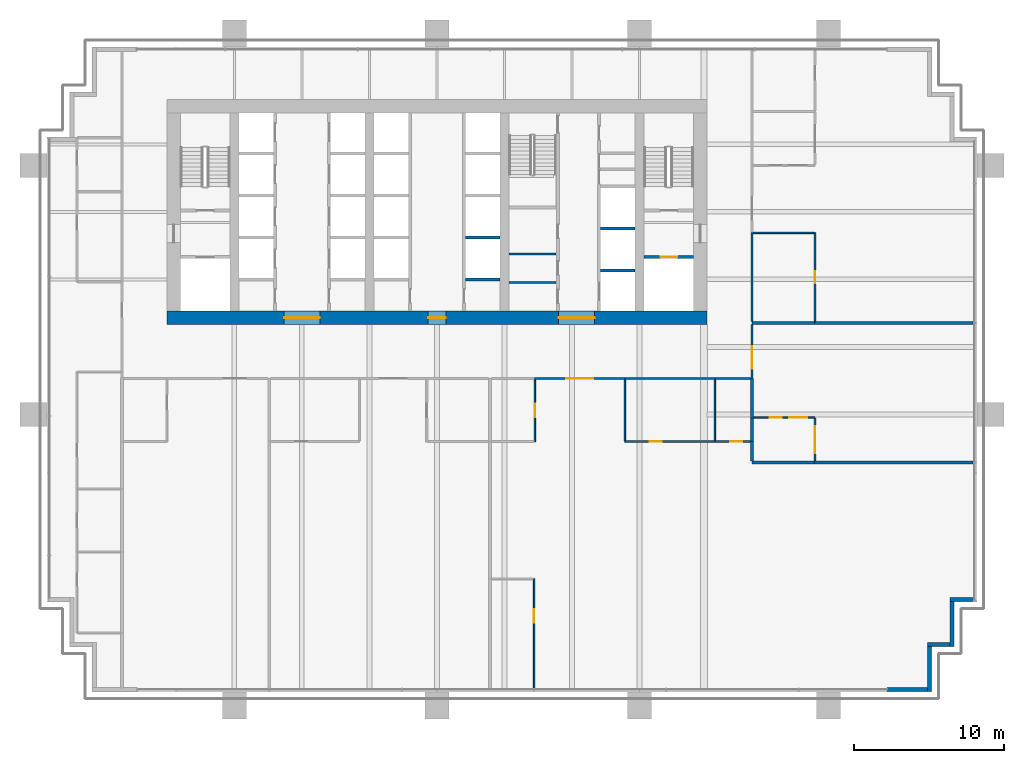
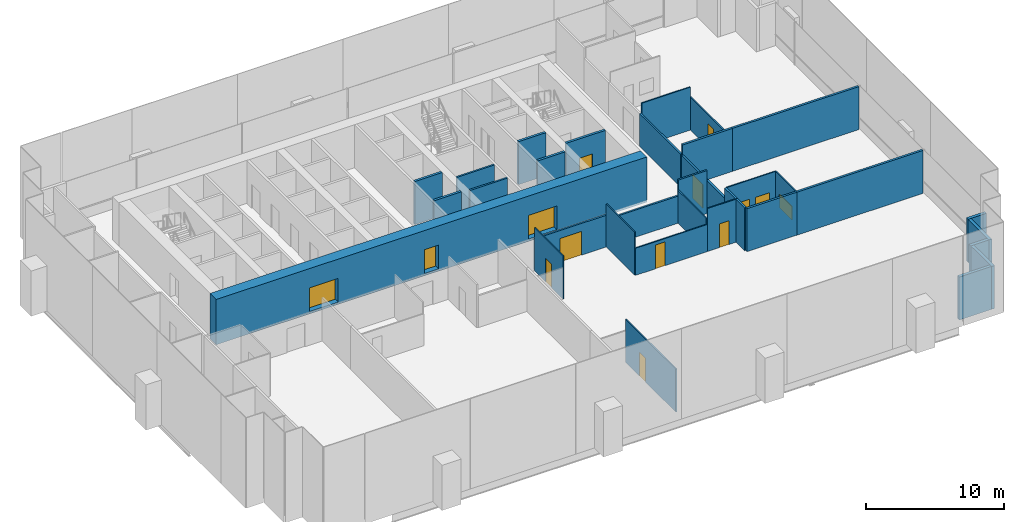
# One storey, part 13 of 19: 35 walls, 12 doors, 2 windows, 14 openings.
"""IFC4 building model written with IfcOpenShell, lengths in metres."""

from ifc_helpers import new_model, si_unit, direction, frame, frame_2d, origin, place, context, subcontext, project, spatial, rectangle, extrude, material, layer, layer_set, type_object, element, fill, save


model = new_model("IFC4")

# Units and contexts
model_context = context("Model", 3, precision=1e-05, world=origin(), true_north=direction((0.0, 1.0)))
body_context = subcontext(model_context, "Body", "Model", "MODEL_VIEW")
ifc_project = project(units=[si_unit("LENGTHUNIT", "METRE"), si_unit("AREAUNIT", "SQUARE_METRE"), si_unit("VOLUMEUNIT", "CUBIC_METRE"), si_unit("PLANEANGLEUNIT", "RADIAN"), si_unit("MASSUNIT", "GRAM", prefix="KILO")], contexts=[model_context])

# Site, building, storey
site_placement = place(None, origin())
site = spatial("IfcSite", under=ifc_project, at=site_placement, CompositionType="ELEMENT")
building_placement = place(site_placement, origin())
building = spatial("IfcBuilding", under=site, at=building_placement, Name="Rattan Terrace Tower", CompositionType="ELEMENT")
storey_placement = place(building_placement, frame((0.0, 0.0, 79.699951171875)))
storey = spatial("IfcBuildingStorey", under=building, at=storey_placement, Name="L17", CompositionType="ELEMENT", Elevation=79.699951171875)

# Walls
ifc_material_1 = material(Name="Gypsum board partition")
ifc_layer_1 = layer(ifc_material_1, 0.14990234375)
ifc_layer_set_1 = layer_set([ifc_layer_1], Name="Core partition 150")
wall_type_1 = type_object("IfcWallType", Name="Core partition 150", PredefinedType="PARTITIONING", material=ifc_layer_set_1)
for number, where, z_axis, x_axis, name in (
    (1, (4.800048828125, -4.696044921875, 0.0), (0.0, 0.0, 1.0), (1.0, 0.0, 0.0), "Toilet wall"),
    (2, (4.800048828125, -2.7919921875, 0.0), (0.0, 0.0, 1.0), (1.0, 0.0, 0.0), "Toilet wall"),
):
    element("IfcWall", number, at=place(storey_placement, frame(where, z_axis=z_axis, x_axis=x_axis)), inside=storey, type_object=wall_type_1, Name=name, PredefinedType="PARTITIONING", context=body_context, shape_type="SweptSolid", body=[
        extrude(rectangle(XDim=3.14990234375, YDim=0.14990234375, at=frame_2d((1.574951171875, 0.0))), origin(), (0.0, 0.0, 1.0), 3.800048828125),
    ])

# Wall, opening, door
ifc_material_2 = material(Name="Gypsum board partition")
ifc_layer_2 = layer(ifc_material_2, 0.199951171875)
ifc_layer_set_2 = layer_set([ifc_layer_2], Name="Core partition 200")
wall_type_2 = type_object("IfcWallType", Name="Core partition 200", PredefinedType="PARTITIONING", material=ifc_layer_set_2)
wall_1_placement = place(storey_placement, frame((13.800048828125, -3.0, 0.0), z_axis=(0.0, 0.0, 1.0), x_axis=(1.0, 0.0, 0.0)))
wall_1 = element("IfcWall", 3, at=wall_1_placement, inside=storey, type_object=wall_type_2, Name="Fire-fighting lobby wall", PredefinedType="PARTITIONING", context=body_context, shape_type="SweptSolid", body=[
    extrude(rectangle(XDim=3.300048828125, YDim=0.199951171875, at=frame_2d((1.64990234375, 0.0))), origin(), (0.0, 0.0, 1.0), 3.800048828125),
])
opening_1_placement = place(wall_1_placement, frame((1.10009765625, 0.0, 0.0)))
opening_1 = element("IfcOpeningElement", 4, at=opening_1_placement, cuts=wall_1, Name="Opening L17-LD-FF2", PredefinedType="OPENING", context=body_context, shape_type="SweptSolid", body=[
    extrude(rectangle(XDim=1.10009765625, YDim=2.10009765625, at=frame_2d((0.550048828125, 1.050048828125))), frame((0.0, 0.110595703125, 0.0), z_axis=(0.0, -1.0, 0.0), x_axis=(1.0, 0.0, 0.0)), (0.0, 0.0, 1.0), 0.220947265625),
])
ifc_material_3 = material(Name="Brushed stainless landing door panel")
door_type_1 = type_object("IfcDoorType", Name="Core lift landing door 1100", OperationType="DOUBLE_DOOR_SLIDING", PredefinedType="DOOR", material=ifc_material_3)
door_1_placement = place(opening_1_placement, origin())
door_1 = element("IfcDoor", 5, at=door_1_placement, inside=storey, type_object=door_type_1, Name="Door L17-LD-FF2", OperationType="DOUBLE_DOOR_SLIDING", OverallHeight=2.10009765625, OverallWidth=1.10009765625, PredefinedType="DOOR", context=body_context, shape_type="SweptSolid", body=[
    extrude(rectangle(XDim=1.10009765625, YDim=2.10009765625, at=frame_2d((0.550048828125, 1.050048828125))), frame((0.0, 0.02490234375, 0.0), z_axis=(0.0, -1.0, 0.0), x_axis=(1.0, 0.0, 0.0)), (0.0, 0.0, 1.0), 0.050048828125),
])
fill(opening_1, door_1)

# Wall, openings, doors
ifc_material_4 = material(Name="Concrete C70/85", Category="concrete")
ifc_layer_3 = layer(ifc_material_4, 0.89990234375)
ifc_layer_set_3 = layer_set([ifc_layer_3], Name="Core ring wall 900 C70/85")
wall_type_3 = type_object("IfcWallType", Name="Core ring wall 900 C70/85", PredefinedType="SHEAR", material=ifc_layer_set_3)
wall_2_placement = place(storey_placement, frame((-18.0, -7.050048828125, -0.199951171875), z_axis=(0.0, 0.0, 1.0), x_axis=(1.0, 0.0, 0.0)))
wall_2 = element("IfcWall", 6, at=wall_2_placement, inside=storey, type_object=wall_type_3, Name="Rear core wall south", PredefinedType="SHEAR", context=body_context, shape_type="SweptSolid", body=[
    extrude(rectangle(XDim=36.0, YDim=0.89990234375, at=frame_2d((18.0, 0.0))), origin(), (0.0, 0.0, 1.0), 4.0),
])
opening_2_placement = place(wall_2_placement, frame((7.800048828125, 0.0, 0.199951171875)))
opening_2 = element("IfcOpeningElement", 7, at=opening_2_placement, cuts=wall_2, Name="Opening L17-D007", PredefinedType="OPENING", context=body_context, shape_type="SweptSolid", body=[
    extrude(rectangle(XDim=2.39990234375, YDim=2.10009765625, at=frame_2d((1.199951171875, 1.050048828125))), frame((0.0, 0.46044921875, 0.0), z_axis=(0.0, -1.0, 0.0), x_axis=(1.0, 0.0, 0.0)), (0.0, 0.0, 1.0), 0.9208984375),
])
opening_3_placement = place(wall_2_placement, frame((17.39990234375, 0.0, 0.199951171875)))
opening_3 = element("IfcOpeningElement", 8, at=opening_3_placement, cuts=wall_2, Name="Opening L17-D010", PredefinedType="OPENING", context=body_context, shape_type="SweptSolid", body=[
    extrude(rectangle(XDim=1.199951171875, YDim=2.10009765625, at=frame_2d((0.60009765625, 1.050048828125))), frame((0.0, 0.46044921875, 0.0), z_axis=(0.0, -1.0, 0.0), x_axis=(1.0, 0.0, 0.0)), (0.0, 0.0, 1.0), 0.9208984375),
])
opening_4_placement = place(wall_2_placement, frame((26.10009765625, 0.0, 0.199951171875)))
opening_4 = element("IfcOpeningElement", 9, at=opening_4_placement, cuts=wall_2, Name="Opening L17-D015", PredefinedType="OPENING", context=body_context, shape_type="SweptSolid", body=[
    extrude(rectangle(XDim=2.39990234375, YDim=2.10009765625, at=frame_2d((1.199951171875, 1.050048828125))), frame((0.0, 0.46044921875, 0.0), z_axis=(0.0, -1.0, 0.0), x_axis=(1.0, 0.0, 0.0)), (0.0, 0.0, 1.0), 0.9208984375),
])
ifc_material_5 = material(Name="Hollow-metal fire door leaf")
door_type_2 = type_object("IfcDoorType", Name="Core lift lobby door 2400", OperationType="NOTDEFINED", PredefinedType="DOOR", material=ifc_material_5)
door_2_placement = place(opening_2_placement, origin())
door_2 = element("IfcDoor", 10, at=door_2_placement, inside=storey, type_object=door_type_2, Name="Door L17-D007", OperationType="DOUBLE_DOOR_DOUBLE_SWING", OverallHeight=2.10009765625, OverallWidth=2.39990234375, PredefinedType="DOOR", context=body_context, shape_type="SweptSolid", body=[
    extrude(rectangle(XDim=2.39990234375, YDim=2.10009765625, at=frame_2d((1.199951171875, 1.050048828125))), frame((0.0, 0.02490234375, 0.0), z_axis=(0.0, -1.0, 0.0), x_axis=(1.0, 0.0, 0.0)), (0.0, 0.0, 1.0), 0.050048828125),
])
fill(opening_2, door_2)
door_3_placement = place(opening_4_placement, origin())
door_3 = element("IfcDoor", 11, at=door_3_placement, inside=storey, type_object=door_type_2, Name="Door L17-D015", OperationType="DOUBLE_DOOR_DOUBLE_SWING", OverallHeight=2.10009765625, OverallWidth=2.39990234375, PredefinedType="DOOR", context=body_context, shape_type="SweptSolid", body=[
    extrude(rectangle(XDim=2.39990234375, YDim=2.10009765625, at=frame_2d((1.199951171875, 1.050048828125))), frame((0.0, 0.02490234375, 0.0), z_axis=(0.0, -1.0, 0.0), x_axis=(1.0, 0.0, 0.0)), (0.0, 0.0, 1.0), 0.050048828125),
])
fill(opening_4, door_3)
ifc_material_6 = material(Name="Hollow-metal fire door leaf")
door_type_3 = type_object("IfcDoorType", Name="Core riser door 1200", OperationType="NOTDEFINED", PredefinedType="DOOR", material=ifc_material_6)
door_4_placement = place(opening_3_placement, origin())
door_4 = element("IfcDoor", 12, at=door_4_placement, inside=storey, type_object=door_type_3, Name="Door L17-D010", OperationType="SINGLE_SWING_RIGHT", OverallHeight=2.10009765625, OverallWidth=1.199951171875, PredefinedType="DOOR", context=body_context, shape_type="SweptSolid", body=[
    extrude(rectangle(XDim=1.199951171875, YDim=2.10009765625, at=frame_2d((0.60009765625, 1.050048828125))), frame((0.0, 0.02490234375, 0.0), z_axis=(0.0, -1.0, 0.0), x_axis=(1.0, 0.0, 0.0)), (0.0, 0.0, 1.0), 0.050048828125),
])
fill(opening_3, door_4)

# Walls
ifc_material_7 = material(Name="Insulated aluminium-clad stud wall", Category="aluminium")
ifc_layer_4 = layer(ifc_material_7, 0.25)
ifc_layer_set_4 = layer_set([ifc_layer_4], Name="Facade Riser Wall 250")
wall_type_4 = type_object("IfcWallType", Name="Facade Riser Wall 250", PredefinedType="SOLIDWALL", material=ifc_layer_set_4)
wall_3_placement = place(storey_placement, frame((30.0, -31.830078125, 0.0), z_axis=(0.0, 0.0, 1.0), x_axis=(1.0, 0.0, 0.0)))
element("IfcWall", 13, at=wall_3_placement, inside=storey, type_object=wall_type_4, Name="Riser wall L17-1", PredefinedType="SOLIDWALL", context=body_context, shape_type="SweptSolid", body=[
    extrude(rectangle(XDim=2.705078125, YDim=0.25, at=frame_2d((1.3525390625, 0.0))), origin(), (0.0, 0.0, 1.0), 3.800048828125),
])
wall_4_placement = place(storey_placement, frame((32.830078125, -31.955078125, 0.0), z_axis=(0.0, 0.0, 1.0), x_axis=(0.0, 1.0, 0.0)))
element("IfcWall", 14, at=wall_4_placement, inside=storey, type_object=wall_type_4, Name="Riser wall L17-2", PredefinedType="SOLIDWALL", context=body_context, shape_type="SweptSolid", body=[
    extrude(rectangle(XDim=3.0, YDim=0.25, at=frame_2d((1.5, 0.0))), origin(), (0.0, 0.0, 1.0), 3.800048828125),
])
wall_5_placement = place(storey_placement, frame((32.705078125, -28.830078125, 0.0), z_axis=(0.0, 0.0, 1.0), x_axis=(1.0, 0.0, 0.0)))
element("IfcWall", 15, at=wall_5_placement, inside=storey, type_object=wall_type_4, Name="Riser wall L17-3", PredefinedType="SOLIDWALL", context=body_context, shape_type="SweptSolid", body=[
    extrude(rectangle(XDim=1.5, YDim=0.25, at=frame_2d((0.75, 0.0))), origin(), (0.0, 0.0, 1.0), 3.800048828125),
])
wall_6_placement = place(storey_placement, frame((34.330078125, -28.955078125, 0.0), z_axis=(0.0, 0.0, 1.0), x_axis=(0.0, 1.0, 0.0)))
element("IfcWall", 16, at=wall_6_placement, inside=storey, type_object=wall_type_4, Name="Riser wall L17-4", PredefinedType="SOLIDWALL", context=body_context, shape_type="SweptSolid", body=[
    extrude(rectangle(XDim=3.0, YDim=0.25, at=frame_2d((1.5, 0.0))), origin(), (0.0, 0.0, 1.0), 3.800048828125),
])
wall_7_placement = place(storey_placement, frame((34.205078125, -25.830078125, 0.0), z_axis=(0.0, 0.0, 1.0), x_axis=(1.0, 0.0, 0.0)))
element("IfcWall", 17, at=wall_7_placement, inside=storey, type_object=wall_type_4, Name="Riser wall L17-5", PredefinedType="SOLIDWALL", context=body_context, shape_type="SweptSolid", body=[
    extrude(rectangle(XDim=1.544921875, YDim=0.25, at=frame_2d((0.7724609375, 0.0))), origin(), (0.0, 0.0, 1.0), 3.800048828125),
])
ifc_material_8 = material(Name="Double steel stud acoustic partition, gypsum board, mineral wool, fire rated", Category="steel")
ifc_layer_5 = layer(ifc_material_8, 0.179931640625)
ifc_layer_set_5 = layer_set([ifc_layer_5], Name="Floors Acoustic Party Wall 180")
wall_type_5 = type_object("IfcWallType", Name="Floors Acoustic Party Wall 180", PredefinedType="PARTITIONING", material=ifc_layer_set_5)
wall_8_placement = place(storey_placement, frame((25.179931640625, -16.699951171875, 0.0), z_axis=(0.0, 0.0, 1.0), x_axis=(1.0, 0.0, 0.0)))
element("IfcWall", 18, at=wall_8_placement, inside=storey, type_object=wall_type_5, Name="pt-L17-055", PredefinedType="PARTITIONING", context=body_context, shape_type="SweptSolid", body=[
    extrude(rectangle(XDim=10.56005859375, YDim=0.179931640625, at=frame_2d((5.280029296875, 0.0))), origin(), (0.0, 0.0, 1.0), 3.800048828125),
])
wall_9_placement = place(storey_placement, frame((20.9990234375, -15.300048828125, 0.0), z_axis=(0.0, 0.0, 1.0), x_axis=(0.0, -1.0, 0.0)))
element("IfcWall", 19, at=wall_9_placement, inside=storey, type_object=wall_type_5, Name="pt-L17-056", PredefinedType="PARTITIONING", context=body_context, shape_type="SweptSolid", body=[
    extrude(rectangle(XDim=1.31005859375, YDim=0.179931640625, at=frame_2d((0.655029296875, 0.0))), origin(), (0.0, 0.0, 1.0), 3.800048828125),
])
wall_10_placement = place(storey_placement, frame((21.0, -16.699951171875, 0.0), z_axis=(0.0, 0.0, 1.0), x_axis=(1.0, 0.0, 0.0)))
element("IfcWall", 20, at=wall_10_placement, inside=storey, type_object=wall_type_5, Name="pt-L17-057", PredefinedType="PARTITIONING", context=body_context, shape_type="SweptSolid", body=[
    extrude(rectangle(XDim=4.179931640625, YDim=0.179931640625, at=frame_2d((2.08984375, 0.0))), origin(), (0.0, 0.0, 1.0), 3.800048828125),
])
wall_11_placement = place(storey_placement, frame((21.0, -11.10009765625, 0.0), z_axis=(0.0, 0.0, 1.0), x_axis=(0.0, -1.0, 0.0)))
element("IfcWall", 21, at=wall_11_placement, inside=storey, type_object=wall_type_5, Name="pt-L17-059", PredefinedType="PARTITIONING", context=body_context, shape_type="SweptSolid", body=[
    extrude(rectangle(XDim=2.619873046875, YDim=0.179931640625, at=frame_2d((1.31005859375, 0.0))), origin(), (0.0, 0.0, 1.0), 2.900146484375),
])
wall_12_placement = place(storey_placement, frame((21.0, -13.719970703125, 0.0), z_axis=(0.0, 0.0, 1.0), x_axis=(0.0, -1.0, 0.0)))
element("IfcWall", 22, at=wall_12_placement, inside=storey, type_object=wall_type_5, Name="pt-L17-060", PredefinedType="PARTITIONING", context=body_context, shape_type="SweptSolid", body=[
    extrude(rectangle(XDim=1.580078125, YDim=0.179931640625, at=frame_2d((0.7900390625, 0.0))), origin(), (0.0, 0.0, 1.0), 3.800048828125),
])
wall_13_placement = place(storey_placement, frame((25.179931640625, -7.39990234375, 0.0), z_axis=(0.0, 0.0, 1.0), x_axis=(1.0, 0.0, 0.0)))
element("IfcWall", 23, at=wall_13_placement, inside=storey, type_object=wall_type_5, Name="pt-L17-063", PredefinedType="PARTITIONING", context=body_context, shape_type="SweptSolid", body=[
    extrude(rectangle(XDim=10.56005859375, YDim=0.179931640625, at=frame_2d((5.280029296875, 0.0))), origin(), (0.0, 0.0, 1.0), 3.800048828125),
])
wall_14_placement = place(storey_placement, frame((21.0, -7.39990234375, 0.0), z_axis=(0.0, 0.0, 1.0), x_axis=(1.0, 0.0, 0.0)))
element("IfcWall", 24, at=wall_14_placement, inside=storey, type_object=wall_type_5, Name="pt-L17-064", PredefinedType="PARTITIONING", context=body_context, shape_type="SweptSolid", body=[
    extrude(rectangle(XDim=4.179931640625, YDim=0.179931640625, at=frame_2d((2.08984375, 0.0))), origin(), (0.0, 0.0, 1.0), 3.800048828125),
])

# Wall, opening, door
ifc_material_9 = material(Name="Gypsum board partition on steel studs", Category="steel")
ifc_layer_6 = layer(ifc_material_9, 0.10009765625)
ifc_layer_set_6 = layer_set([ifc_layer_6], Name="Floors Partition 100")
wall_type_6 = type_object("IfcWallType", Name="Floors Partition 100", PredefinedType="PARTITIONING", material=ifc_layer_set_6)
wall_15_placement = place(storey_placement, frame((6.470947265625, -31.739990234375, 0.0), z_axis=(0.0, 0.0, 1.0), x_axis=(0.0, 1.0, 0.0)))
wall_15 = element("IfcWall", 25, at=wall_15_placement, inside=storey, type_object=wall_type_6, Name="pt-L17-049", PredefinedType="PARTITIONING", context=body_context, shape_type="SweptSolid", body=[
    extrude(rectangle(XDim=7.280029296875, YDim=0.10009765625, at=frame_2d((3.64013671875, 0.0))), origin(), (0.0, 0.0, 1.0), 3.800048828125),
])
opening_5_placement = place(wall_15_placement, frame((4.365966796875, 0.0, 0.0)))
opening_5 = element("IfcOpeningElement", 26, at=opening_5_placement, cuts=wall_15, Name="Opening L17-D112", PredefinedType="OPENING", context=body_context, shape_type="SweptSolid", body=[
    extrude(rectangle(XDim=0.89990234375, YDim=2.10009765625, at=frame_2d((0.449951171875, 1.050048828125))), frame((0.0, 0.060546875, 0.0), z_axis=(0.0, -1.0, 0.0), x_axis=(1.0, 0.0, 0.0)), (0.0, 0.0, 1.0), 0.12109375),
])
ifc_material_10 = material(Name="Solid core timber door, painted", Category="wood")
door_type_4 = type_object("IfcDoorType", Name="Floors Door 900x2100", OperationType="NOTDEFINED", PredefinedType="DOOR", material=ifc_material_10)
door_5_placement = place(opening_5_placement, origin())
door_5 = element("IfcDoor", 27, at=door_5_placement, inside=storey, type_object=door_type_4, Name="d-L17-112", OperationType="SINGLE_SWING_RIGHT", OverallHeight=2.10009765625, OverallWidth=0.89990234375, PredefinedType="DOOR", context=body_context, shape_type="SweptSolid", body=[
    extrude(rectangle(XDim=0.89990234375, YDim=2.10009765625, at=frame_2d((0.449951171875, 1.050048828125))), frame((0.0, 0.02490234375, 0.0), z_axis=(0.0, -1.0, 0.0), x_axis=(1.0, 0.0, 0.0)), (0.0, 0.0, 1.0), 0.050048828125),
])
fill(opening_5, door_5)

wall_16_placement = place(storey_placement, frame((6.529052734375, -15.300048828125, 0.0), z_axis=(0.0, 0.0, 1.0), x_axis=(0.0, 1.0, 0.0)))
wall_16 = element("IfcWall", 28, at=wall_16_placement, inside=storey, type_object=wall_type_6, Name="pt-L17-051", PredefinedType="PARTITIONING", context=body_context, shape_type="SweptSolid", body=[
    extrude(rectangle(XDim=4.125, YDim=0.10009765625, at=frame_2d((2.0625, 0.0))), origin(), (0.0, 0.0, 1.0), 3.800048828125),
])
opening_6_placement = place(wall_16_placement, frame((1.613037109375, 0.0, 0.0)))
opening_6 = element("IfcOpeningElement", 29, at=opening_6_placement, cuts=wall_16, Name="Opening L17-D113", PredefinedType="OPENING", context=body_context, shape_type="SweptSolid", body=[
    extrude(rectangle(XDim=0.89990234375, YDim=2.10009765625, at=frame_2d((0.449951171875, 1.050048828125))), frame((0.0, 0.060546875, 0.0), z_axis=(0.0, -1.0, 0.0), x_axis=(1.0, 0.0, 0.0)), (0.0, 0.0, 1.0), 0.12109375),
])
door_6_placement = place(opening_6_placement, origin())
door_6 = element("IfcDoor", 30, at=door_6_placement, inside=storey, type_object=door_type_4, Name="d-L17-113", OperationType="SINGLE_SWING_RIGHT", OverallHeight=2.10009765625, OverallWidth=0.89990234375, PredefinedType="DOOR", context=body_context, shape_type="SweptSolid", body=[
    extrude(rectangle(XDim=0.89990234375, YDim=2.10009765625, at=frame_2d((0.449951171875, 1.050048828125))), frame((0.0, 0.02490234375, 0.0), z_axis=(0.0, -1.0, 0.0), x_axis=(1.0, 0.0, 0.0)), (0.0, 0.0, 1.0), 0.050048828125),
])
fill(opening_6, door_6)

# Wall
wall_17_placement = place(storey_placement, frame((12.529052734375, -11.175048828125, 0.0), z_axis=(0.0, 0.0, 1.0), x_axis=(0.0, -1.0, 0.0)))
element("IfcWall", 31, at=wall_17_placement, inside=storey, type_object=wall_type_6, Name="pt-L17-052", PredefinedType="PARTITIONING", context=body_context, shape_type="SweptSolid", body=[
    extrude(rectangle(XDim=4.074951171875, YDim=0.10009765625, at=frame_2d((2.03759765625, 0.0))), origin(), (0.0, 0.0, 1.0), 3.800048828125),
])

# Wall, opening, door
wall_18_placement = place(storey_placement, frame((12.529052734375, -15.300048828125, 0.0), z_axis=(0.0, 0.0, 1.0), x_axis=(1.0, 0.0, 0.0)))
wall_18 = element("IfcWall", 32, at=wall_18_placement, inside=storey, type_object=wall_type_6, Name="pt-L17-053", PredefinedType="PARTITIONING", context=body_context, shape_type="SweptSolid", body=[
    extrude(rectangle(XDim=6.02001953125, YDim=0.10009765625, at=frame_2d((3.010009765625, 0.0))), origin(), (0.0, 0.0, 1.0), 2.400146484375),
])
opening_7_placement = place(wall_18_placement, frame((1.666015625, 0.0, 0.0)))
opening_7 = element("IfcOpeningElement", 33, at=opening_7_placement, cuts=wall_18, Name="Opening L17-D114", PredefinedType="OPENING", context=body_context, shape_type="SweptSolid", body=[
    extrude(rectangle(XDim=0.800048828125, YDim=2.10009765625, at=frame_2d((0.39990234375, 1.050048828125))), frame((0.0, 0.060546875, 0.0), z_axis=(0.0, -1.0, 0.0), x_axis=(1.0, 0.0, 0.0)), (0.0, 0.0, 1.0), 0.12109375),
])
ifc_material_11 = material(Name="Solid core timber door, painted", Category="wood")
door_type_5 = type_object("IfcDoorType", Name="Floors Store Door 800x2100", OperationType="NOTDEFINED", PredefinedType="DOOR", material=ifc_material_11)
door_7_placement = place(opening_7_placement, origin())
door_7 = element("IfcDoor", 34, at=door_7_placement, inside=storey, type_object=door_type_5, Name="d-L17-114", OperationType="SINGLE_SWING_LEFT", OverallHeight=2.10009765625, OverallWidth=0.800048828125, PredefinedType="DOOR", context=body_context, shape_type="SweptSolid", body=[
    extrude(rectangle(XDim=0.800048828125, YDim=2.10009765625, at=frame_2d((0.39990234375, 1.050048828125))), frame((0.0, 0.02490234375, 0.0), z_axis=(0.0, -1.0, 0.0), x_axis=(1.0, 0.0, 0.0)), (0.0, 0.0, 1.0), 0.050048828125),
])
fill(opening_7, door_7)

wall_19_placement = place(storey_placement, frame((18.549072265625, -15.300048828125, 0.0), z_axis=(0.0, 0.0, 1.0), x_axis=(1.0, 0.0, 0.0)))
wall_19 = element("IfcWall", 35, at=wall_19_placement, inside=storey, type_object=wall_type_6, Name="pt-L17-054", PredefinedType="PARTITIONING", context=body_context, shape_type="SweptSolid", body=[
    extrude(rectangle(XDim=2.36083984375, YDim=0.10009765625, at=frame_2d((1.180419921875, 0.0))), origin(), (0.0, 0.0, 1.0), 3.800048828125),
])
opening_8_placement = place(wall_19_placement, frame((0.992919921875, 0.0, 0.0)))
opening_8 = element("IfcOpeningElement", 36, at=opening_8_placement, cuts=wall_19, Name="Opening L17-D115", PredefinedType="OPENING", context=body_context, shape_type="SweptSolid", body=[
    extrude(rectangle(XDim=0.800048828125, YDim=2.10009765625, at=frame_2d((0.39990234375, 1.050048828125))), frame((0.0, 0.060546875, 0.0), z_axis=(0.0, -1.0, 0.0), x_axis=(1.0, 0.0, 0.0)), (0.0, 0.0, 1.0), 0.12109375),
])
door_8_placement = place(opening_8_placement, origin())
door_8 = element("IfcDoor", 37, at=door_8_placement, inside=storey, type_object=door_type_5, Name="d-L17-115", OperationType="SINGLE_SWING_RIGHT", OverallHeight=2.10009765625, OverallWidth=0.800048828125, PredefinedType="DOOR", context=body_context, shape_type="SweptSolid", body=[
    extrude(rectangle(XDim=0.800048828125, YDim=2.10009765625, at=frame_2d((0.39990234375, 1.050048828125))), frame((0.0, 0.02490234375, 0.0), z_axis=(0.0, -1.0, 0.0), x_axis=(1.0, 0.0, 0.0)), (0.0, 0.0, 1.0), 0.050048828125),
])
fill(opening_8, door_8)

# Wall
wall_20_placement = place(storey_placement, frame((18.529052734375, -11.175048828125, 0.0), z_axis=(0.0, 0.0, 1.0), x_axis=(0.0, -1.0, 0.0)))
element("IfcWall", 38, at=wall_20_placement, inside=storey, type_object=wall_type_6, Name="pt-L17-058", PredefinedType="PARTITIONING", context=body_context, shape_type="SweptSolid", body=[
    extrude(rectangle(XDim=4.074951171875, YDim=0.10009765625, at=frame_2d((2.03759765625, 0.0))), origin(), (0.0, 0.0, 1.0), 2.900146484375),
])

# Wall, openings, door, window
wall_21_placement = place(storey_placement, frame((25.199951171875, -13.699951171875, 0.0), z_axis=(0.0, 0.0, 1.0), x_axis=(-1.0, 0.0, 0.0)))
wall_21 = element("IfcWall", 39, at=wall_21_placement, inside=storey, type_object=wall_type_6, Name="pt-L17-061", PredefinedType="PARTITIONING", context=body_context, shape_type="SweptSolid", body=[
    extrude(rectangle(XDim=4.10986328125, YDim=0.10009765625, at=frame_2d((2.054931640625, 0.0))), origin(), (0.0, 0.0, 1.0), 3.800048828125),
])
opening_9_placement = place(wall_21_placement, frame((2.217041015625, 0.0, 0.0)))
opening_9 = element("IfcOpeningElement", 40, at=opening_9_placement, cuts=wall_21, Name="Opening L17-D117", PredefinedType="OPENING", context=body_context, shape_type="SweptSolid", body=[
    extrude(rectangle(XDim=0.800048828125, YDim=2.10009765625, at=frame_2d((0.39990234375, 1.050048828125))), frame((0.0, 0.060546875, 0.0), z_axis=(0.0, -1.0, 0.0), x_axis=(1.0, 0.0, 0.0)), (0.0, 0.0, 1.0), 0.12109375),
])
opening_10_placement = place(wall_21_placement, frame((0.532958984375, 0.0, 0.89990234375)))
opening_10 = element("IfcOpeningElement", 41, at=opening_10_placement, cuts=wall_21, Name="Opening L17-W100", PredefinedType="OPENING", context=body_context, shape_type="SweptSolid", body=[
    extrude(rectangle(XDim=1.199951171875, YDim=1.199951171875, at=frame_2d((0.60009765625, 0.60009765625))), frame((0.0, 0.060546875, 0.0), z_axis=(0.0, -1.0, 0.0), x_axis=(1.0, 0.0, 0.0)), (0.0, 0.0, 1.0), 0.12109375),
])
door_9_placement = place(opening_9_placement, origin())
door_9 = element("IfcDoor", 42, at=door_9_placement, inside=storey, type_object=door_type_5, Name="d-L17-117", OperationType="SINGLE_SWING_RIGHT", OverallHeight=2.10009765625, OverallWidth=0.800048828125, PredefinedType="DOOR", context=body_context, shape_type="SweptSolid", body=[
    extrude(rectangle(XDim=0.800048828125, YDim=2.10009765625, at=frame_2d((0.39990234375, 1.050048828125))), frame((0.0, 0.02490234375, 0.0), z_axis=(0.0, -1.0, 0.0), x_axis=(1.0, 0.0, 0.0)), (0.0, 0.0, 1.0), 0.050048828125),
])
fill(opening_9, door_9)
ifc_material_12 = material(Name="Glass, clear, fixed in aluminium frame", Category="aluminium")
window_type_1 = type_object("IfcWindowType", Name="Interior Vision Window 1200x1200", PartitioningType="SINGLE_PANEL", PredefinedType="WINDOW", material=ifc_material_12)
window_1_placement = place(opening_10_placement, origin())
window_1 = element("IfcWindow", 43, at=window_1_placement, inside=storey, type_object=window_type_1, Name="w-L17-100", OverallHeight=1.199951171875, OverallWidth=1.199951171875, PartitioningType="SINGLE_PANEL", PredefinedType="WINDOW", context=body_context, shape_type="SweptSolid", body=[
    extrude(rectangle(XDim=1.199951171875, YDim=1.199951171875, at=frame_2d((0.60009765625, 0.60009765625))), frame((0.0, 0.030029296875, 0.0), z_axis=(0.0, -1.0, 0.0), x_axis=(1.0, 0.0, 0.0)), (0.0, 0.0, 1.0), 0.06005859375),
])
fill(opening_10, window_1)

# Wall, opening, window
wall_22_placement = place(storey_placement, frame((25.199951171875, -16.610107421875, 0.0), z_axis=(0.0, 0.0, 1.0), x_axis=(0.0, 1.0, 0.0)))
wall_22 = element("IfcWall", 44, at=wall_22_placement, inside=storey, type_object=wall_type_6, Name="pt-L17-062", PredefinedType="PARTITIONING", context=body_context, shape_type="SweptSolid", body=[
    extrude(rectangle(XDim=2.860107421875, YDim=0.10009765625, at=frame_2d((1.43017578125, 0.0))), origin(), (0.0, 0.0, 1.0), 3.800048828125),
])
opening_11_placement = place(wall_22_placement, frame((0.530029296875, 0.0, 0.89990234375)))
opening_11 = element("IfcOpeningElement", 45, at=opening_11_placement, cuts=wall_22, Name="Opening L17-W101", PredefinedType="OPENING", context=body_context, shape_type="SweptSolid", body=[
    extrude(rectangle(XDim=1.800048828125, YDim=1.199951171875, at=frame_2d((0.89990234375, 0.60009765625))), frame((0.0, 0.060546875, 0.0), z_axis=(0.0, -1.0, 0.0), x_axis=(1.0, 0.0, 0.0)), (0.0, 0.0, 1.0), 0.12109375),
])
ifc_material_13 = material(Name="Glass, clear, fixed in aluminium frame", Category="aluminium")
window_type_2 = type_object("IfcWindowType", Name="Interior Vision Window 1800x1200", PartitioningType="SINGLE_PANEL", PredefinedType="WINDOW", material=ifc_material_13)
window_2_placement = place(opening_11_placement, origin())
window_2 = element("IfcWindow", 46, at=window_2_placement, inside=storey, type_object=window_type_2, Name="w-L17-101", OverallHeight=1.199951171875, OverallWidth=1.800048828125, PartitioningType="SINGLE_PANEL", PredefinedType="WINDOW", context=body_context, shape_type="SweptSolid", body=[
    extrude(rectangle(XDim=1.800048828125, YDim=1.199951171875, at=frame_2d((0.89990234375, 0.60009765625))), frame((0.0, 0.030029296875, 0.0), z_axis=(0.0, -1.0, 0.0), x_axis=(1.0, 0.0, 0.0)), (0.0, 0.0, 1.0), 0.06005859375),
])
fill(opening_11, window_2)

# Wall
wall_23_placement = place(storey_placement, frame((25.14990234375, -1.39990234375, 0.0), z_axis=(0.0, 0.0, 1.0), x_axis=(-1.0, 0.0, 0.0)))
element("IfcWall", 47, at=wall_23_placement, inside=storey, type_object=wall_type_6, Name="pt-L17-065", PredefinedType="PARTITIONING", context=body_context, shape_type="SweptSolid", body=[
    extrude(rectangle(XDim=4.074951171875, YDim=0.10009765625, at=frame_2d((2.03759765625, 0.0))), origin(), (0.0, 0.0, 1.0), 3.800048828125),
])

# Wall, opening, door
wall_24_placement = place(storey_placement, frame((25.199951171875, -7.31005859375, 0.0), z_axis=(0.0, 0.0, 1.0), x_axis=(0.0, 1.0, 0.0)))
wall_24 = element("IfcWall", 48, at=wall_24_placement, inside=storey, type_object=wall_type_6, Name="pt-L17-066", PredefinedType="PARTITIONING", context=body_context, shape_type="SweptSolid", body=[
    extrude(rectangle(XDim=5.91015625, YDim=0.10009765625, at=frame_2d((2.955078125, 0.0))), origin(), (0.0, 0.0, 1.0), 2.900146484375),
])
opening_12_placement = place(wall_24_placement, frame((2.554931640625, 0.0, 0.0)))
opening_12 = element("IfcOpeningElement", 49, at=opening_12_placement, cuts=wall_24, Name="Opening L17-D119", PredefinedType="OPENING", context=body_context, shape_type="SweptSolid", body=[
    extrude(rectangle(XDim=0.800048828125, YDim=2.10009765625, at=frame_2d((0.39990234375, 1.050048828125))), frame((0.0, 0.060546875, 0.0), z_axis=(0.0, -1.0, 0.0), x_axis=(1.0, 0.0, 0.0)), (0.0, 0.0, 1.0), 0.12109375),
])
door_10_placement = place(opening_12_placement, origin())
door_10 = element("IfcDoor", 50, at=door_10_placement, inside=storey, type_object=door_type_5, Name="d-L17-119", OperationType="SINGLE_SWING_RIGHT", OverallHeight=2.10009765625, OverallWidth=0.800048828125, PredefinedType="DOOR", context=body_context, shape_type="SweptSolid", body=[
    extrude(rectangle(XDim=0.800048828125, YDim=2.10009765625, at=frame_2d((0.39990234375, 1.050048828125))), frame((0.0, 0.02490234375, 0.0), z_axis=(0.0, -1.0, 0.0), x_axis=(1.0, 0.0, 0.0)), (0.0, 0.0, 1.0), 0.050048828125),
])
fill(opening_12, door_10)

ifc_material_14 = material(Name="Gypsum board partition on steel studs, fire rated", Category="steel")
ifc_layer_7 = layer(ifc_material_14, 0.14990234375)
ifc_layer_set_7 = layer_set([ifc_layer_7], Name="Floors Tenancy Wall 150")
wall_type_7 = type_object("IfcWallType", Name="Floors Tenancy Wall 150", PredefinedType="PARTITIONING", material=ifc_layer_set_7)
wall_25_placement = place(storey_placement, frame((12.549072265625, -11.10009765625, 0.0), z_axis=(0.0, 0.0, 1.0), x_axis=(-1.0, 0.0, 0.0)))
wall_25 = element("IfcWall", 51, at=wall_25_placement, inside=storey, type_object=wall_type_7, Name="pt-L17-011", PredefinedType="PARTITIONING", context=body_context, shape_type="SweptSolid", body=[
    extrude(rectangle(XDim=6.0400390625, YDim=0.14990234375, at=frame_2d((3.02001953125, 0.0))), origin(), (0.0, 0.0, 1.0), 2.800048828125),
])
opening_13_placement = place(wall_25_placement, frame((2.1201171875, 0.0, 0.0)))
opening_13 = element("IfcOpeningElement", 52, at=opening_13_placement, cuts=wall_25, Name="Opening L17-D111", PredefinedType="OPENING", context=body_context, shape_type="SweptSolid", body=[
    extrude(rectangle(XDim=1.800048828125, YDim=2.10009765625, at=frame_2d((0.89990234375, 1.050048828125))), frame((0.0, 0.08544921875, 0.0), z_axis=(0.0, -1.0, 0.0), x_axis=(1.0, 0.0, 0.0)), (0.0, 0.0, 1.0), 0.1708984375),
])
ifc_material_15 = material(Name="Steel fire door set", Category="steel")
door_type_6 = type_object("IfcDoorType", Name="Floors Fire Door Pair FD30S 1800x2100", OperationType="NOTDEFINED", PredefinedType="DOOR", material=ifc_material_15)
door_11_placement = place(opening_13_placement, origin())
door_11 = element("IfcDoor", 53, at=door_11_placement, inside=storey, type_object=door_type_6, Name="d-L17-111", OperationType="DOUBLE_DOOR_SINGLE_SWING", OverallHeight=2.10009765625, OverallWidth=1.800048828125, PredefinedType="DOOR", context=body_context, shape_type="SweptSolid", body=[
    extrude(rectangle(XDim=1.800048828125, YDim=2.10009765625, at=frame_2d((0.89990234375, 1.050048828125))), frame((0.0, 0.02490234375, 0.0), z_axis=(0.0, -1.0, 0.0), x_axis=(1.0, 0.0, 0.0)), (0.0, 0.0, 1.0), 0.050048828125),
])
fill(opening_13, door_11)

# Walls
wall_26_placement = place(storey_placement, frame((18.549072265625, -11.10009765625, 0.0), z_axis=(0.0, 0.0, 1.0), x_axis=(-1.0, 0.0, 0.0)))
element("IfcWall", 54, at=wall_26_placement, inside=storey, type_object=wall_type_7, Name="pt-L17-013", PredefinedType="PARTITIONING", context=body_context, shape_type="SweptSolid", body=[
    extrude(rectangle(XDim=6.0, YDim=0.14990234375, at=frame_2d((3.0, 0.0))), origin(), (0.0, 0.0, 1.0), 2.400146484375),
])
wall_27_placement = place(storey_placement, frame((20.925048828125, -11.10009765625, 0.0), z_axis=(0.0, 0.0, 1.0), x_axis=(-1.0, 0.0, 0.0)))
element("IfcWall", 55, at=wall_27_placement, inside=storey, type_object=wall_type_7, Name="pt-L17-014", PredefinedType="PARTITIONING", context=body_context, shape_type="SweptSolid", body=[
    extrude(rectangle(XDim=2.3759765625, YDim=0.14990234375, at=frame_2d((1.18798828125, 0.0))), origin(), (0.0, 0.0, 1.0), 3.800048828125),
])

# Wall, opening, door
wall_28_placement = place(storey_placement, frame((21.0, -7.489990234375, 0.0), z_axis=(0.0, 0.0, 1.0), x_axis=(0.0, -1.0, 0.0)))
wall_28 = element("IfcWall", 56, at=wall_28_placement, inside=storey, type_object=wall_type_7, Name="pt-L17-015", PredefinedType="PARTITIONING", context=body_context, shape_type="SweptSolid", body=[
    extrude(rectangle(XDim=3.610107421875, YDim=0.14990234375, at=frame_2d((1.80517578125, 0.0))), origin(), (0.0, 0.0, 1.0), 2.900146484375),
])
opening_14_placement = place(wall_28_placement, frame((1.4580078125, 0.0, 0.0)))
opening_14 = element("IfcOpeningElement", 57, at=opening_14_placement, cuts=wall_28, Name="Opening L17-D116", PredefinedType="OPENING", context=body_context, shape_type="SweptSolid", body=[
    extrude(rectangle(XDim=1.5, YDim=2.10009765625, at=frame_2d((0.75, 1.050048828125))), frame((0.0, 0.08544921875, 0.0), z_axis=(0.0, -1.0, 0.0), x_axis=(1.0, 0.0, 0.0)), (0.0, 0.0, 1.0), 0.1708984375),
])
ifc_material_16 = material(Name="Steel fire door set", Category="steel")
door_type_7 = type_object("IfcDoorType", Name="Floors Unit Door Pair FD30S 1500x2100", OperationType="NOTDEFINED", PredefinedType="DOOR", material=ifc_material_16)
door_12_placement = place(opening_14_placement, origin())
door_12 = element("IfcDoor", 58, at=door_12_placement, inside=storey, type_object=door_type_7, Name="d-L17-116", OperationType="DOUBLE_DOOR_SINGLE_SWING", OverallHeight=2.10009765625, OverallWidth=1.5, PredefinedType="DOOR", context=body_context, shape_type="SweptSolid", body=[
    extrude(rectangle(XDim=1.5, YDim=2.10009765625, at=frame_2d((0.75, 1.050048828125))), frame((0.0, 0.02490234375, 0.0), z_axis=(0.0, -1.0, 0.0), x_axis=(1.0, 0.0, 0.0)), (0.0, 0.0, 1.0), 0.050048828125),
])
fill(opening_14, door_12)

# Walls
wall_29_placement = place(storey_placement, frame((21.0, -1.3798828125, 0.0), z_axis=(0.0, 0.0, 1.0), x_axis=(0.0, -1.0, 0.0)))
element("IfcWall", 59, at=wall_29_placement, inside=storey, type_object=wall_type_7, Name="pt-L17-017", PredefinedType="PARTITIONING", context=body_context, shape_type="SweptSolid", body=[
    extrude(rectangle(XDim=5.93017578125, YDim=0.14990234375, at=frame_2d((2.965087890625, 0.0))), origin(), (0.0, 0.0, 1.0), 2.900146484375),
])
ifc_material_17 = material(Name="Gypsum shaft wall system")
ifc_layer_8 = layer(ifc_material_17, 0.199951171875)
ifc_layer_set_8 = layer_set([ifc_layer_8], Name="Lift shaft wall 200")
wall_type_8 = type_object("IfcWallType", Name="Lift shaft wall 200", PredefinedType="PARTITIONING", material=ifc_layer_set_8)
for number, where, z_axis, x_axis, name in (
    (60, (1.89990234375, -1.699951171875, 0.0), (0.0, 0.0, 1.0), (1.0, 0.0, 0.0), "Lift shaft wall"),
    (61, (1.89990234375, -4.5, 0.0), (0.0, 0.0, 1.0), (1.0, 0.0, 0.0), "Lift shaft wall"),
    (62, (10.89990234375, -3.89990234375, 0.0), (0.0, 0.0, 1.0), (1.0, 0.0, 0.0), "Lift shaft wall"),
    (63, (10.89990234375, -1.10009765625, 0.0), (0.0, 0.0, 1.0), (1.0, 0.0, 0.0), "Lift shaft wall"),
):
    element("IfcWall", number, at=place(storey_placement, frame(where, z_axis=z_axis, x_axis=x_axis)), inside=storey, type_object=wall_type_8, Name=name, PredefinedType="PARTITIONING", context=body_context, shape_type="SweptSolid", body=[
        extrude(rectangle(XDim=2.300048828125, YDim=0.199951171875, at=frame_2d((1.14990234375, 0.0))), origin(), (0.0, 0.0, 1.0), 3.800048828125),
    ])

save(model, "model.ifc")
